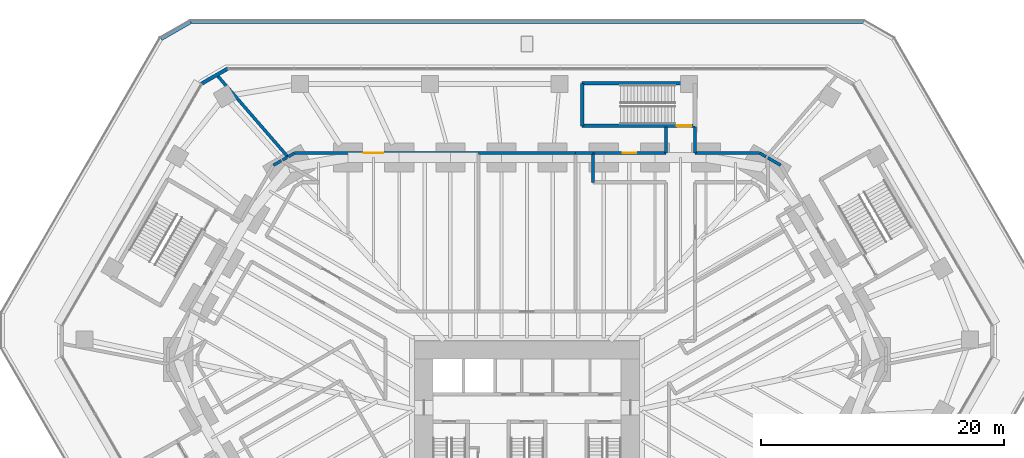
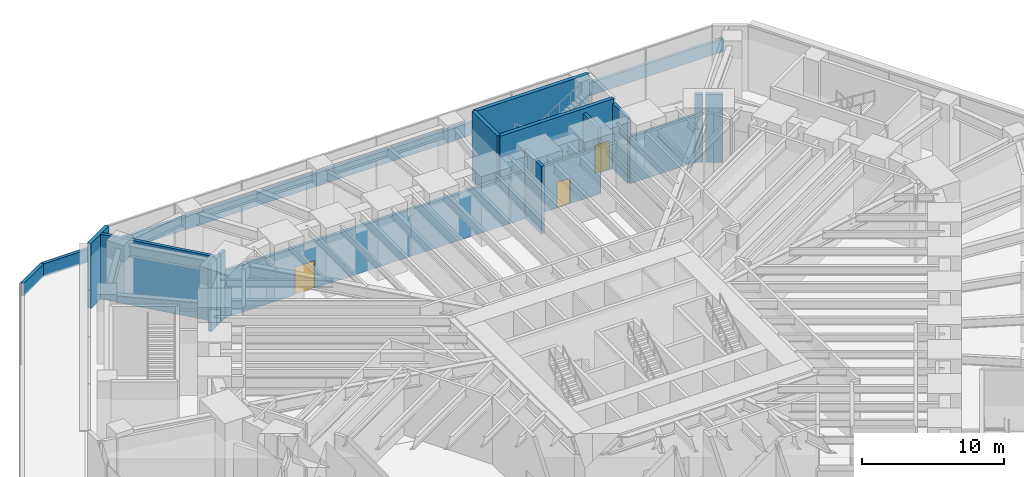
# One storey, part 18 of 24: 20 walls, 3 doors, 3 openings.
"""IFC4 building model written with IfcOpenShell, lengths in metres."""

from ifc_helpers import new_model, si_unit, direction, frame, frame_2d, origin, place, context, subcontext, project, spatial, rectangle, extrude, material, layer, layer_set, type_object, element, fill, save


model = new_model("IFC4")

# Units and contexts
model_context = context("Model", 3, precision=1e-05, world=origin(), true_north=direction((0.0, 1.0)))
body_context = subcontext(model_context, "Body", "Model", "MODEL_VIEW")
ifc_project = project(units=[si_unit("LENGTHUNIT", "METRE"), si_unit("AREAUNIT", "SQUARE_METRE"), si_unit("VOLUMEUNIT", "CUBIC_METRE"), si_unit("PLANEANGLEUNIT", "RADIAN"), si_unit("MASSUNIT", "GRAM", prefix="KILO")], contexts=[model_context])

# Site, building, storey
site_placement = place(None, origin())
site = spatial("IfcSite", under=ifc_project, at=site_placement, CompositionType="ELEMENT")
building_placement = place(site_placement, origin())
building = spatial("IfcBuilding", under=site, at=building_placement, Name="Sandreach Pilgrim Tower", CompositionType="ELEMENT")
storey_placement = place(building_placement, frame((0.0, 0.0, 12.0)))
storey = spatial("IfcBuildingStorey", under=building, at=storey_placement, Name="L02", CompositionType="ELEMENT", Elevation=12.0)

# Walls
ifc_material_1 = material(Name="Acoustic gypsum board wall, double frame", Category="gypsum")
ifc_layer_1 = layer(ifc_material_1, 0.25)
ifc_layer_set_1 = layer_set([ifc_layer_1], Name="Hall partition 250")
wall_type_1 = type_object("IfcWallType", Name="Hall partition 250", PredefinedType="PARTITIONING", material=ifc_layer_set_1)
wall_1_placement = place(storey_placement, frame((-20.22998046875, 22.429931640625, 0.0), z_axis=(0.0, 0.0, 1.0), x_axis=(-0.863331575042, -0.504637088942, 0.0)))
element("IfcWall", 1, at=wall_1_placement, inside=storey, type_object=wall_type_1, Name="Hall partition L02-025", PredefinedType="PARTITIONING", context=body_context, shape_type="SweptSolid", body=[
    extrude(rectangle(XDim=0.752685546875, YDim=0.25, at=frame_2d((0.37646484375, 0.0))), origin(), (0.0, 0.0, 1.0), 5.840087890625),
])
wall_2_placement = place(storey_placement, frame((-19.746337890625, 22.707763671875, 0.0), z_axis=(0.0, 0.0, 1.0), x_axis=(-0.867257505244, -0.49785983931, 0.0)))
element("IfcWall", 2, at=wall_2_placement, inside=storey, type_object=wall_type_1, Name="Hall partition L02-026", PredefinedType="PARTITIONING", context=body_context, shape_type="SweptSolid", body=[
    extrude(rectangle(XDim=0.44287109375, YDim=0.25, at=frame_2d((0.221435546875, 0.0))), origin(), (0.0, 0.0, 1.0), 5.840087890625),
])
wall_3_placement = place(storey_placement, frame((-19.68994140625, 22.739990234375, 0.0), z_axis=(0.0, 0.0, 1.0), x_axis=(-0.655186130594, 0.755467493859, 0.0)))
element("IfcWall", 3, at=wall_3_placement, inside=storey, type_object=wall_type_1, Name="Hall partition L02-027", PredefinedType="PARTITIONING", context=body_context, shape_type="SweptSolid", body=[
    extrude(rectangle(XDim=8.944580078125, YDim=0.25, at=frame_2d((4.47216796875, 0.0))), origin(), (0.0, 0.0, 1.0), 5.60009765625),
])
wall_4_placement = place(storey_placement, frame((-19.14990234375, 23.050048828125, 0.0), z_axis=(0.0, 0.0, 1.0), x_axis=(-0.867193315, -0.497971640175, 0.0)))
element("IfcWall", 4, at=wall_4_placement, inside=storey, type_object=wall_type_1, Name="Hall partition L02-028", PredefinedType="PARTITIONING", context=body_context, shape_type="SweptSolid", body=[
    extrude(rectangle(XDim=0.587890625, YDim=0.25, at=frame_2d((0.2939453125, 0.0))), origin(), (0.0, 0.0, 1.0), 5.840087890625),
])

# Wall, opening, door
wall_5_placement = place(storey_placement, frame((-4.0, 23.050048828125, 0.0), z_axis=(0.0, 0.0, 1.0), x_axis=(-1.0, 0.0, 0.0)))
wall_5 = element("IfcWall", 5, at=wall_5_placement, inside=storey, type_object=wall_type_1, Name="Hall partition L02-049", PredefinedType="PARTITIONING", context=body_context, shape_type="SweptSolid", body=[
    extrude(rectangle(XDim=15.14990234375, YDim=0.25, at=frame_2d((7.574951171875, 0.0))), origin(), (0.0, 0.0, 1.0), 4.0400390625),
])
opening_1_placement = place(wall_5_placement, frame((7.824951171875, 0.0, 0.0)))
opening_1 = element("IfcOpeningElement", 6, at=opening_1_placement, cuts=wall_5, Name="Opening D16-B2H", PredefinedType="OPENING", context=body_context, shape_type="SweptSolid", body=[
    extrude(rectangle(XDim=1.60009765625, YDim=2.39990234375, at=frame_2d((0.800048828125, 1.199951171875))), frame((0.0, 0.125, 0.0), z_axis=(0.0, -1.0, 0.0), x_axis=(1.0, 0.0, 0.0)), (0.0, 0.0, 1.0), 0.25),
])
ifc_material_2 = material(Name="Steel door and frame", Category="steel")
door_type_1 = type_object("IfcDoorType", Name="Hall double door", OperationType="DOUBLE_DOOR_SINGLE_SWING", PredefinedType="DOOR", material=ifc_material_2)
door_1_placement = place(opening_1_placement, origin())
door_1 = element("IfcDoor", 7, at=door_1_placement, inside=storey, type_object=door_type_1, Name="Door 02B2", OperationType="DOUBLE_DOOR_SINGLE_SWING", OverallHeight=2.39990234375, OverallWidth=1.60009765625, PredefinedType="DOOR", context=body_context, shape_type="SweptSolid", body=[
    extrude(rectangle(XDim=1.60009765625, YDim=2.39990234375, at=frame_2d((0.800048828125, 1.199951171875))), frame((0.0, 0.02490234375, 0.0), z_axis=(0.0, -1.0, 0.0), x_axis=(1.0, 0.0, 0.0)), (0.0, 0.0, 1.0), 0.050048828125),
])
fill(opening_1, door_1)

# Walls
wall_6_placement = place(storey_placement, frame((4.0, 23.050048828125, 0.0), z_axis=(0.0, 0.0, 1.0), x_axis=(-1.0, 0.0, 0.0)))
element("IfcWall", 8, at=wall_6_placement, inside=storey, type_object=wall_type_1, Name="Hall partition L02-066", PredefinedType="PARTITIONING", context=body_context, shape_type="SweptSolid", body=[
    extrude(rectangle(XDim=8.0, YDim=0.25, at=frame_2d((4.0, 0.0))), origin(), (0.0, 0.0, 1.0), 4.0400390625),
])
wall_7_placement = place(storey_placement, frame((5.429931640625, 23.050048828125, 0.0), z_axis=(0.0, 0.0, 1.0), x_axis=(-1.0, 0.0, 0.0)))
element("IfcWall", 9, at=wall_7_placement, inside=storey, type_object=wall_type_1, Name="Hall partition L02-070", PredefinedType="PARTITIONING", context=body_context, shape_type="SweptSolid", body=[
    extrude(rectangle(XDim=1.429931640625, YDim=0.25, at=frame_2d((0.71484375, 0.0))), origin(), (0.0, 0.0, 1.0), 4.0400390625),
])
wall_8_placement = place(storey_placement, frame((5.429931640625, 23.050048828125, 0.0), z_axis=(0.0, 0.0, 1.0), x_axis=(0.0, -1.0, 0.0)))
element("IfcWall", 10, at=wall_8_placement, inside=storey, type_object=wall_type_1, Name="Hall partition L02-071", PredefinedType="PARTITIONING", context=body_context, shape_type="SweptSolid", body=[
    extrude(rectangle(XDim=2.400146484375, YDim=0.25, at=frame_2d((1.2001953125, 0.0))), origin(), (0.0, 0.0, 1.0), 5.840087890625),
])

# Wall, opening, door
wall_9_placement = place(storey_placement, frame((11.429931640625, 23.050048828125, 0.0), z_axis=(0.0, 0.0, 1.0), x_axis=(-1.0, 0.0, 0.0)))
wall_9 = element("IfcWall", 11, at=wall_9_placement, inside=storey, type_object=wall_type_1, Name="Hall partition L02-085", PredefinedType="PARTITIONING", context=body_context, shape_type="SweptSolid", body=[
    extrude(rectangle(XDim=6.0, YDim=0.25, at=frame_2d((3.0, 0.0))), origin(), (0.0, 0.0, 1.0), 4.0400390625),
])
opening_2_placement = place(wall_9_placement, frame((2.449951171875, 0.0, 0.0)))
opening_2 = element("IfcOpeningElement", 12, at=opening_2_placement, cuts=wall_9, Name="Opening D11H-01", PredefinedType="OPENING", context=body_context, shape_type="SweptSolid", body=[
    extrude(rectangle(XDim=1.10009765625, YDim=2.199951171875, at=frame_2d((0.550048828125, 1.10009765625))), frame((0.0, 0.125, 0.0), z_axis=(0.0, -1.0, 0.0), x_axis=(1.0, 0.0, 0.0)), (0.0, 0.0, 1.0), 0.25),
])
ifc_material_3 = material(Name="Steel door and frame", Category="steel")
door_type_2 = type_object("IfcDoorType", Name="Back of house door", OperationType="SINGLE_SWING_LEFT", PredefinedType="DOOR", material=ifc_material_3)
door_2_placement = place(opening_2_placement, origin())
door_2 = element("IfcDoor", 13, at=door_2_placement, inside=storey, type_object=door_type_2, Name="Door 0201", OperationType="SINGLE_SWING_LEFT", OverallHeight=2.199951171875, OverallWidth=1.10009765625, PredefinedType="DOOR", context=body_context, shape_type="SweptSolid", body=[
    extrude(rectangle(XDim=1.10009765625, YDim=2.199951171875, at=frame_2d((0.550048828125, 1.10009765625))), frame((0.0, 0.02490234375, 0.0), z_axis=(0.0, -1.0, 0.0), x_axis=(1.0, 0.0, 0.0)), (0.0, 0.0, 1.0), 0.050048828125),
])
fill(opening_2, door_2)

# Walls
for number, where, z_axis, x_axis, name in (
    (14, (11.429931640625, 25.199951171875, 0.0), (0.0, 0.0, 1.0), (0.0, -1.0, 0.0), "Hall partition L02-086"),
    (15, (13.830078125, 23.050048828125, 0.0), (0.0, 0.0, 1.0), (0.0, 1.0, 0.0), "Hall partition L02-098"),
):
    element("IfcWall", number, at=place(storey_placement, frame(where, z_axis=z_axis, x_axis=x_axis)), inside=storey, type_object=wall_type_1, Name=name, PredefinedType="PARTITIONING", context=body_context, shape_type="SweptSolid", body=[
        extrude(rectangle(XDim=2.14990234375, YDim=0.25, at=frame_2d((1.074951171875, 0.0))), origin(), (0.0, 0.0, 1.0), 5.60009765625),
    ])
wall_10_placement = place(storey_placement, frame((19.14990234375, 23.050048828125, 0.0), z_axis=(0.0, 0.0, 1.0), x_axis=(-1.0, 0.0, 0.0)))
element("IfcWall", 16, at=wall_10_placement, inside=storey, type_object=wall_type_1, Name="Hall partition L02-107", PredefinedType="PARTITIONING", context=body_context, shape_type="SweptSolid", body=[
    extrude(rectangle(XDim=5.31982421875, YDim=0.25, at=frame_2d((2.659912109375, 0.0))), origin(), (0.0, 0.0, 1.0), 4.0400390625),
])
wall_11_placement = place(storey_placement, frame((19.14990234375, 23.050048828125, 0.0), z_axis=(0.0, 0.0, 1.0), x_axis=(0.866627900645, -0.498954989777, 0.0)))
element("IfcWall", 17, at=wall_11_placement, inside=storey, type_object=wall_type_1, Name="Hall partition L02-108", PredefinedType="PARTITIONING", context=body_context, shape_type="SweptSolid", body=[
    extrude(rectangle(XDim=0.587646484375, YDim=0.25, at=frame_2d((0.2939453125, 0.0))), origin(), (0.0, 0.0, 1.0), 5.840087890625),
])
wall_12_placement = place(storey_placement, frame((20.8798828125, 22.050048828125, 0.0), z_axis=(0.0, 0.0, 1.0), x_axis=(-0.865250488556, 0.501339796998, 0.0)))
element("IfcWall", 18, at=wall_12_placement, inside=storey, type_object=wall_type_1, Name="Hall partition L02-113", PredefinedType="PARTITIONING", context=body_context, shape_type="SweptSolid", body=[
    extrude(rectangle(XDim=1.236328125, YDim=0.25, at=frame_2d((0.6181640625, 0.0))), origin(), (0.0, 0.0, 1.0), 5.840087890625),
])

# Wall, opening, door
ifc_material_4 = material(Name="Concrete 8000 psi", Category="concrete")
ifc_layer_2 = layer(ifc_material_4, 0.300048828125)
ifc_layer_set_2 = layer_set([ifc_layer_2], Name="Podium stair enclosure 300")
wall_type_2 = type_object("IfcWallType", Name="Podium stair enclosure 300", PredefinedType="SHEAR", material=ifc_layer_set_2)
wall_13_placement = place(storey_placement, frame((13.829833984375, 25.298828125, 0.0), z_axis=(0.0, 0.0, 1.0), x_axis=(-1.0, 0.0, 0.0)))
wall_13 = element("IfcWall", 19, at=wall_13_placement, inside=storey, type_object=wall_type_2, Name="Stair ST7 enclosure L02 1", PredefinedType="SHEAR", context=body_context, shape_type="SweptSolid", body=[
    extrude(rectangle(XDim=9.300048828125, YDim=0.300048828125, at=frame_2d((4.64990234375, 0.0))), origin(), (0.0, 0.0, 1.0), 6.0),
])
opening_3_placement = place(wall_13_placement, frame((0.300048828125, 0.0, 0.0)))
opening_3 = element("IfcOpeningElement", 20, at=opening_3_placement, cuts=wall_13, Name="Opening D12S-ST7", PredefinedType="OPENING", context=body_context, shape_type="SweptSolid", body=[
    extrude(rectangle(XDim=1.199951171875, YDim=2.39990234375, at=frame_2d((0.60009765625, 1.199951171875))), frame((0.0, 0.14990234375, 0.0), z_axis=(0.0, -1.0, 0.0), x_axis=(1.0, 0.0, 0.0)), (0.0, 0.0, 1.0), 0.300048828125),
])
ifc_material_5 = material(Name="Steel door and frame", Category="steel")
door_type_3 = type_object("IfcDoorType", Name="Narrow podium stair door", OperationType="SINGLE_SWING_LEFT", PredefinedType="DOOR", material=ifc_material_5)
door_3_placement = place(opening_3_placement, origin())
door_3 = element("IfcDoor", 21, at=door_3_placement, inside=storey, type_object=door_type_3, Name="Stair door ST7 L02", OperationType="SINGLE_SWING_LEFT", OverallHeight=2.39990234375, OverallWidth=1.199951171875, PredefinedType="DOOR", context=body_context, shape_type="SweptSolid", body=[
    extrude(rectangle(XDim=1.199951171875, YDim=2.39990234375, at=frame_2d((0.60009765625, 1.199951171875))), frame((0.0, 0.02490234375, 0.0), z_axis=(0.0, -1.0, 0.0), x_axis=(1.0, 0.0, 0.0)), (0.0, 0.0, 1.0), 0.050048828125),
])
fill(opening_3, door_3)

# Walls
wall_14_placement = place(storey_placement, frame((4.52978515625, 25.298828125, 0.0), z_axis=(0.0, 0.0, 1.0), x_axis=(0.0, 1.0, 0.0)))
element("IfcWall", 22, at=wall_14_placement, inside=storey, type_object=wall_type_2, Name="Stair ST7 enclosure L02 2", PredefinedType="SHEAR", context=body_context, shape_type="SweptSolid", body=[
    extrude(rectangle(XDim=3.5, YDim=0.300048828125, at=frame_2d((1.75, 0.0))), origin(), (0.0, 0.0, 1.0), 6.0),
])
wall_15_placement = place(storey_placement, frame((4.52978515625, 28.798828125, 0.0), z_axis=(0.0, 0.0, 1.0), x_axis=(1.0, 0.0, 0.0)))
element("IfcWall", 23, at=wall_15_placement, inside=storey, type_object=wall_type_2, Name="Stair ST7 enclosure L02 3", PredefinedType="SHEAR", context=body_context, shape_type="SweptSolid", body=[
    extrude(rectangle(XDim=9.300048828125, YDim=0.300048828125, at=frame_2d((4.64990234375, 0.0))), origin(), (0.0, 0.0, 1.0), 6.0),
])
ifc_material_6 = material(Name="Concrete parapet with terracotta coping", Category="masonry")
ifc_layer_3 = layer(ifc_material_6, 0.25)
ifc_layer_set_3 = layer_set([ifc_layer_3], Name="Setback parapet")
wall_type_3 = type_object("IfcWallType", Name="Setback parapet", PredefinedType="PARAPET", material=ifc_layer_set_3)
wall_16_placement = place(storey_placement, frame((-27.6884765625, 33.83203125, 0.0), z_axis=(0.0, 0.0, 1.0), x_axis=(-0.866347205216, -0.499442208884, 0.0)))
element("IfcWall", 24, at=wall_16_placement, inside=storey, type_object=wall_type_3, Name="Setback parapet L02 1", PredefinedType="PARAPET", context=body_context, shape_type="SweptSolid", body=[
    extrude(rectangle(XDim=2.790771484375, YDim=0.25, at=frame_2d((1.3955078125, 0.0))), origin(), (0.0, 0.0, 1.0), 1.10009765625),
])
wall_17_placement = place(storey_placement, frame((27.6884765625, 33.83203125, 0.0), z_axis=(0.0, 0.0, 1.0), x_axis=(-1.0, 0.0, 0.0)))
element("IfcWall", 25, at=wall_17_placement, inside=storey, type_object=wall_type_3, Name="Setback parapet L02 12", PredefinedType="PARAPET", context=body_context, shape_type="SweptSolid", body=[
    extrude(rectangle(XDim=55.376953125, YDim=0.25, at=frame_2d((27.6884765625, 0.0))), origin(), (0.0, 0.0, 1.0), 1.10009765625),
])
ifc_material_7 = material(Name="Terracotta rainscreen on concrete", Category="masonry")
ifc_layer_4 = layer(ifc_material_7, 0.300048828125)
ifc_layer_set_4 = layer_set([ifc_layer_4], Name="Terracotta chamfer pier")
wall_type_4 = type_object("IfcWallType", Name="Terracotta chamfer pier", PredefinedType="SOLIDWALL", material=ifc_layer_set_4)
wall_18_placement = place(storey_placement, frame((-26.798583984375, 28.760986328125, 0.0), z_axis=(0.0, 0.0, 1.0), x_axis=(0.866047370643, 0.499961950354, 0.0)))
element("IfcWall", 26, at=wall_18_placement, inside=storey, type_object=wall_type_4, Name="Chamfer pier L02 NW", PredefinedType="SOLIDWALL", context=body_context, shape_type="SweptSolid", body=[
    extrude(rectangle(XDim=2.500244140625, YDim=0.300048828125, at=frame_2d((1.25, 0.0))), origin(), (0.0, 0.0, 1.0), 5.60009765625),
])

save(model, "model.ifc")
